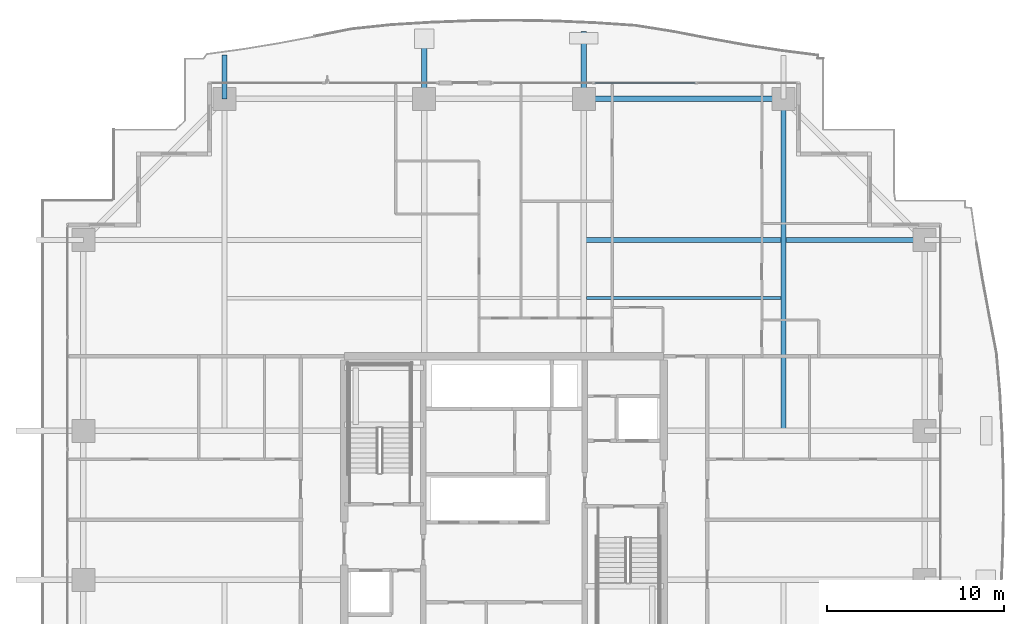
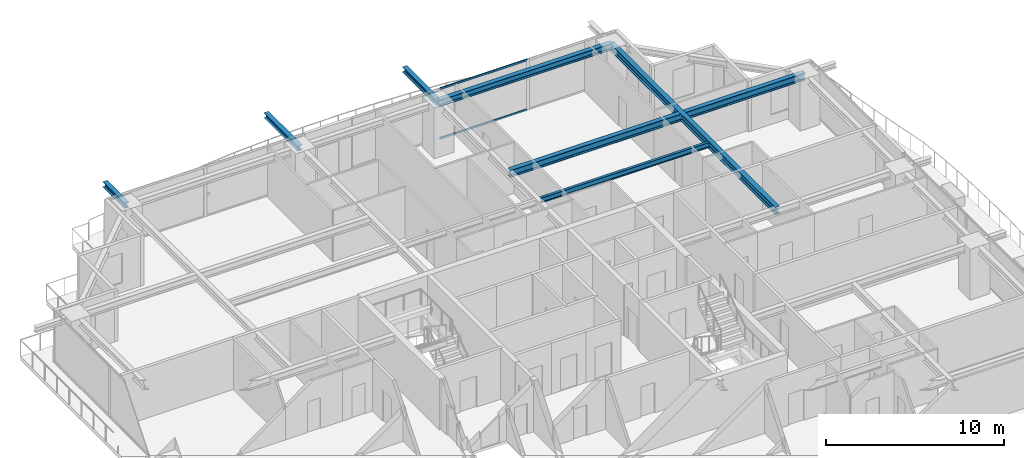
# One storey, part 20 of 34: 7 beams, 2 members, 1 element without a shape of its own.
"""IFC4 building model written with IfcOpenShell, lengths in metres."""

from ifc_helpers import new_model, si_unit, direction, frame, origin, origin_2d, place, context, subcontext, project, spatial, hollow_rectangle, i_section, extrude, source, transform, mapped, material, layer, layer_set, material_profile, profile_set, type_object, element, aggregate, save


model = new_model("IFC4")

# Units and contexts
model_context = context("Model", 3, precision=1e-05, world=origin(), true_north=direction((0.0, 1.0)))
body_context = subcontext(model_context, "Body", "Model", "MODEL_VIEW")
ifc_project = project(units=[si_unit("LENGTHUNIT", "METRE"), si_unit("AREAUNIT", "SQUARE_METRE"), si_unit("VOLUMEUNIT", "CUBIC_METRE"), si_unit("PLANEANGLEUNIT", "RADIAN"), si_unit("MASSUNIT", "GRAM", prefix="KILO")], contexts=[model_context])

# Site, building, storey
site_placement = place(None, origin())
site = spatial("IfcSite", under=ifc_project, at=site_placement, CompositionType="ELEMENT")
building_placement = place(site_placement, origin())
building = spatial("IfcBuilding", under=site, at=building_placement, Name="Serunith Strait Residences", CompositionType="ELEMENT")
storey_placement = place(building_placement, frame((0.0, 0.0, 180.14990234375)))
storey = spatial("IfcBuildingStorey", under=building, at=storey_placement, Name="L45", CompositionType="ELEMENT", Elevation=180.14990234375)

# Beams
ifc_material_1 = material(Name="Steel S355J2", Category="steel")
ifc_material_profile_1 = material_profile(ifc_material_1, i_section(OverallWidth=0.300048828125, OverallDepth=0.5, WebThickness=0.014404296875, FlangeThickness=0.028076171875, FilletRadius=0.027099609375, at=origin_2d()), Name="HEB 500")
ifc_profile_set_1 = profile_set([ifc_material_profile_1], Name="Steel S355J2")
beam_type_1 = type_object("IfcBeamType", Name="BM-HEB500", PredefinedType="BEAM", material=ifc_profile_set_1)
shared_shape_1 = source(origin(), body_context, "Body", "SweptSolid", [
    extrude(i_section(OverallWidth=0.300048828125, OverallDepth=0.5, WebThickness=0.014404296875, FlangeThickness=0.028076171875, FilletRadius=0.027099609375, at=origin_2d()), origin(), (0.0, 0.0, 1.0), 18.7001953125),
])
beam_1_placement = place(storey_placement, frame((48.14990234375, 29.39990234375, 3.237060546875), z_axis=(0.0, 1.0, 0.0), x_axis=(-1.0, 0.0, 0.0)))
element("IfcBeam", 1, at=beam_1_placement, inside=storey, type_object=beam_type_1, Name="L45 Orthogonal Corner Girder TC-N4", PredefinedType="BEAM", context=body_context, shape_type="MappedRepresentation", body=[
    mapped(shared_shape_1, transform((0.0, 0.0, 0.0), scale=1.0)),
])
shared_shape_2 = source(origin(), body_context, "Body", "SweptSolid", [
    extrude(i_section(OverallWidth=0.300048828125, OverallDepth=0.5, WebThickness=0.014404296875, FlangeThickness=0.028076171875, FilletRadius=0.027099609375, at=origin_2d()), origin(), (0.0, 0.0, 1.0), 19.2001953125),
])
beam_2_placement = place(storey_placement, frame((36.89990234375, 40.14990234375, 3.237060546875), z_axis=(1.0, 0.0, 0.0), x_axis=(0.0, 1.0, 0.0)))
element("IfcBeam", 2, at=beam_2_placement, inside=storey, type_object=beam_type_1, Name="L45 Orthogonal Corner Girder TC-E4", PredefinedType="BEAM", context=body_context, shape_type="MappedRepresentation", body=[
    mapped(shared_shape_2, transform((0.0, 0.0, 0.0), scale=1.0)),
])
ifc_material_profile_2 = material_profile(ifc_material_1, i_section(OverallWidth=0.300048828125, OverallDepth=0.449951171875, WebThickness=0.013916015625, FlangeThickness=0.02587890625, FilletRadius=0.027099609375, at=origin_2d()), Name="HEB 450")
ifc_profile_set_2 = profile_set([ifc_material_profile_2], Name="Steel S355J2")
beam_type_2 = type_object("IfcBeamType", Name="BM-HEB450", PredefinedType="BEAM", material=ifc_profile_set_2)
shared_shape_3 = source(origin(), body_context, "Body", "SweptSolid", [
    extrude(i_section(OverallWidth=0.300048828125, OverallDepth=0.449951171875, WebThickness=0.013916015625, FlangeThickness=0.02587890625, FilletRadius=0.027099609375, at=origin_2d()), origin(), (0.0, 0.0, 1.0), 11.25),
])
beam_3_placement = place(storey_placement, frame((48.14990234375, 48.10009765625, 3.26220703125), z_axis=(-1.0, 0.0, 0.0), x_axis=(0.0, -1.0, 0.0)))
element("IfcBeam", 3, at=beam_3_placement, inside=storey, type_object=beam_type_2, Name="L45 Perimeter Ring Beam 09", PredefinedType="BEAM", context=body_context, shape_type="MappedRepresentation", body=[
    mapped(shared_shape_3, transform((0.0, 0.0, 0.0), scale=1.0)),
])
ifc_material_profile_3 = material_profile(ifc_material_1, i_section(OverallWidth=0.169921875, OverallDepth=0.360107421875, WebThickness=0.008056640625, FlangeThickness=0.0126953125, FilletRadius=0.01806640625, at=origin_2d()), Name="IPE 360")
ifc_profile_set_3 = profile_set([ifc_material_profile_3], Name="Steel S355J2")
beam_type_3 = type_object("IfcBeamType", Name="BM-IPE360", PredefinedType="JOIST", material=ifc_profile_set_3)
shared_shape_4 = source(origin(), body_context, "Body", "SweptSolid", [
    extrude(i_section(OverallWidth=0.169921875, OverallDepth=0.360107421875, WebThickness=0.008056640625, FlangeThickness=0.0126953125, FilletRadius=0.01806640625, at=origin_2d()), origin(), (0.0, 0.0, 1.0), 10.949951171875),
])
beam_4_placement = place(storey_placement, frame((37.050048828125, 36.875, 3.30712890625), z_axis=(1.0, 0.0, 0.0), x_axis=(0.0, 1.0, 0.0)))
element("IfcBeam", 4, at=beam_4_placement, inside=storey, type_object=beam_type_3, Name="L45 Composite Floor Joist 06", PredefinedType="JOIST", context=body_context, shape_type="MappedRepresentation", body=[
    mapped(shared_shape_4, transform((0.0, 0.0, 0.0), scale=1.0)),
])
ifc_material_profile_4 = material_profile(ifc_material_1, i_section(OverallWidth=0.300048828125, OverallDepth=0.360107421875, WebThickness=0.012451171875, FlangeThickness=0.0224609375, FilletRadius=0.027099609375, at=origin_2d()), Name="HEB 360")
ifc_profile_set_4 = profile_set([ifc_material_profile_4], Name="Steel S355J2")
beam_type_4 = type_object("IfcBeamType", Name="BM-HEB360", PredefinedType="BEAM", material=ifc_profile_set_4)
shared_shape_5 = source(origin(), body_context, "Body", "SweptSolid", [
    extrude(i_section(OverallWidth=0.300048828125, OverallDepth=0.360107421875, WebThickness=0.012451171875, FlangeThickness=0.0224609375, FilletRadius=0.027099609375, at=origin_2d()), origin(), (0.0, 0.0, 1.0), 3.7998046875),
])
for number, where, z_axis, x_axis, name in (
    (5, (27.89990234375, 48.10009765625, 3.277099609375), (0.0, 1.0, 0.0), (-1.0, 0.0, 0.0), "L46 Cantilevered Balcony Rib TC-N2"),
    (6, (36.89990234375, 48.10009765625, 3.277099609375), (0.0, 1.0, 0.0), (-1.0, 0.0, 0.0), "L46 Cantilevered Balcony Rib TC-N3"),
):
    element("IfcBeam", number, at=place(storey_placement, frame(where, z_axis=z_axis, x_axis=x_axis)), inside=storey, type_object=beam_type_4, Name=name, PredefinedType="BEAM", context=body_context, shape_type="MappedRepresentation", body=[
        mapped(shared_shape_5, transform((0.0, 0.0, 0.0), scale=1.0)),
    ])
shared_shape_6 = source(origin(), body_context, "Body", "SweptSolid", [
    extrude(i_section(OverallWidth=0.300048828125, OverallDepth=0.360107421875, WebThickness=0.012451171875, FlangeThickness=0.0224609375, FilletRadius=0.027099609375, at=origin_2d()), origin(), (0.0, 0.0, 1.0), 2.463134765625),
])
beam_5_placement = place(storey_placement, frame((16.64990234375, 48.10009765625, 3.277099609375), z_axis=(0.0, 1.0, 0.0), x_axis=(-1.0, 0.0, 0.0)))
element("IfcBeam", 7, at=beam_5_placement, inside=storey, type_object=beam_type_4, Name="L46 Cantilevered Balcony Rib TC-N1", PredefinedType="BEAM", context=body_context, shape_type="MappedRepresentation", body=[
    mapped(shared_shape_6, transform((0.0, 0.0, 0.0), scale=1.0)),
])

# Curtain wall, members
ifc_material_2 = material(Name="Pale-Champagne Anodised Aluminium", Category="aluminium")
ifc_layer = layer(ifc_material_2, 0.199951171875, Name="Pale-Champagne Anodised Aluminium")
ifc_layer_set = layer_set([ifc_layer], Name="Pale-Champagne Anodised Aluminium")
curtain_wall_type = type_object("IfcCurtainWallType", Name="CW-SYS2", PredefinedType="NOTDEFINED", material=ifc_layer_set)
curtain_wall_placement = place(storey_placement, origin())
curtain_wall = element("IfcCurtainWall", 8, at=curtain_wall_placement, inside=storey, type_object=curtain_wall_type, Name="L45 N Unitised Fritted Curtain Wall", PredefinedType="NOTDEFINED")
ifc_material_profile_5 = material_profile(ifc_material_2, hollow_rectangle(XDim=0.06005859375, YDim=0.139892578125, WallThickness=0.00341796875, InnerFilletRadius=0.00537109375, OuterFilletRadius=0.0087890625, at=origin_2d()), Name="ALU 140x60x3.5")
ifc_profile_set_5 = profile_set([ifc_material_profile_5], Name="Pale-Champagne Anodised Aluminium")
member_type = type_object("IfcMemberType", Name="CW-SYS2-TRAN", PredefinedType="USERDEFINED", material=ifc_profile_set_5)
shared_shape_7 = source(origin(), body_context, "Body", "SweptSolid", [
    extrude(hollow_rectangle(XDim=0.06005859375, YDim=0.139892578125, WallThickness=0.00341796875, InnerFilletRadius=0.00537109375, OuterFilletRadius=0.0087890625, at=origin_2d()), origin(), (0.0, 0.0, 1.0), 5.696533203125),
])
member_1_placement = place(storey_placement, frame((43.1982421875, 49.0, 0.030029296875), z_axis=(-1.0, 0.0, 0.0), x_axis=(0.0, -1.0, 0.0)))
member_1 = element("IfcMember", 9, at=member_1_placement, type_object=member_type, Name="CW-2 transom 2.1", ObjectType="TRANSOM", PredefinedType="USERDEFINED", context=body_context, shape_type="MappedRepresentation", body=[
    mapped(shared_shape_7, transform((0.0, 0.0, 0.0), scale=1.0)),
])
member_2_placement = place(storey_placement, frame((43.1982421875, 49.0, 3.445068359375), z_axis=(-1.0, 0.0, 0.0), x_axis=(0.0, -1.0, 0.0)))
member_2 = element("IfcMember", 10, at=member_2_placement, type_object=member_type, Name="CW-2 transom 2.2", ObjectType="TRANSOM", PredefinedType="USERDEFINED", context=body_context, shape_type="MappedRepresentation", body=[
    mapped(shared_shape_7, transform((0.0, 0.0, 0.0), scale=1.0)),
])
aggregate(curtain_wall, [member_1, member_2])

save(model, "model.ifc")
